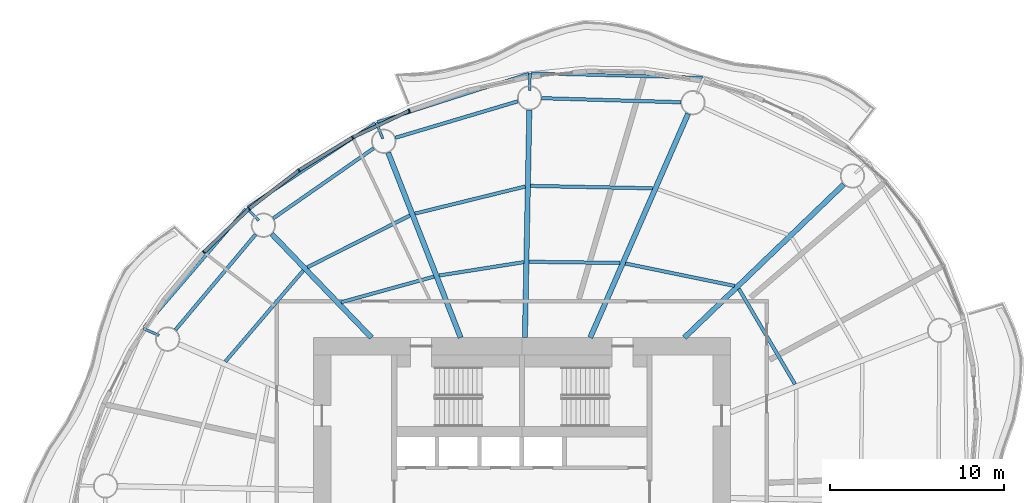
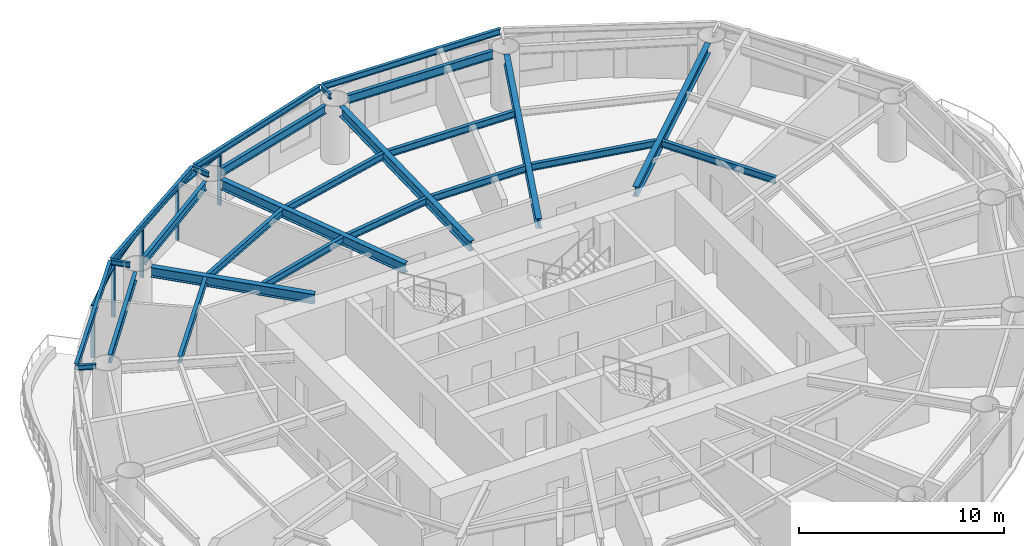
# One storey, part 5 of 14: 26 beams, 9 members, 4 elements without a shape of their own.
"""IFC4 building model written with IfcOpenShell, lengths in metres."""

from ifc_helpers import new_model, si_unit, direction, frame, origin, origin_2d, place, context, subcontext, project, spatial, rectangle, i_section, extrude, material, material_profile, profile_set, type_object, element, aggregate, save


model = new_model("IFC4")

# Units and contexts
model_context = context("Model", 3, precision=1e-05, world=origin(), true_north=direction((0.0, 1.0)))
body_context = subcontext(model_context, "Body", "Model", "MODEL_VIEW")
ifc_project = project(units=[si_unit("LENGTHUNIT", "METRE"), si_unit("AREAUNIT", "SQUARE_METRE"), si_unit("VOLUMEUNIT", "CUBIC_METRE"), si_unit("PLANEANGLEUNIT", "RADIAN"), si_unit("MASSUNIT", "GRAM", prefix="KILO")], contexts=[model_context])

# Site, building, storey
site_placement = place(None, origin())
site = spatial("IfcSite", under=ifc_project, at=site_placement, CompositionType="ELEMENT")
building_placement = place(site_placement, origin())
building = spatial("IfcBuilding", under=site, at=building_placement, Name="Vermilion Reach Broadcast Tower", CompositionType="ELEMENT")
storey_placement = place(building_placement, frame((0.0, 0.0, 172.199951171875)))
storey = spatial("IfcBuildingStorey", under=building, at=storey_placement, Name="L41", CompositionType="ELEMENT", Elevation=172.199951171875)

# Beams
ifc_material_1 = material(Name="Steel S355J2", Category="steel")
ifc_material_profile_1 = material_profile(ifc_material_1, i_section(OverallWidth=0.175048828125, OverallDepth=0.35009765625, WebThickness=0.007080078125, FlangeThickness=0.010986328125, at=origin_2d()), Name="S355J2 HN 350x175x7x11")
ifc_profile_set_1 = profile_set([ifc_material_profile_1], Name="Steel S355J2")
beam_type_1 = type_object("IfcBeamType", Name="EB3 HN 350x175x7x11", PredefinedType="BEAM", material=ifc_profile_set_1)
beam_1_placement = place(storey_placement, frame((4.390380859375, 23.958251953125, 3.275146484375), z_axis=(-0.999675295563, 0.025481433271, 0.0), x_axis=(-0.025481433271, -0.999675295563, 0.0)))
element("IfcBeam", 1, at=beam_1_placement, inside=storey, type_object=beam_type_1, Name="Edge beam EB3-02", PredefinedType="BEAM", context=body_context, shape_type="SweptSolid", body=[
    extrude(i_section(OverallWidth=0.175048828125, OverallDepth=0.35009765625, WebThickness=0.007080078125, FlangeThickness=0.010986328125, at=origin_2d()), origin(), (0.0, 0.0, 1.0), 9.849365234375),
])
beam_2_placement = place(storey_placement, frame((-5.6064453125, 24.18701171875, 3.275146484375), z_axis=(-0.952251696083, -0.305314112525, 0.0), x_axis=(0.305314112525, -0.952251696083, 0.0)))
element("IfcBeam", 2, at=beam_2_placement, inside=storey, type_object=beam_type_1, Name="Edge beam EB3-03", PredefinedType="BEAM", context=body_context, shape_type="SweptSolid", body=[
    extrude(i_section(OverallWidth=0.175048828125, OverallDepth=0.35009765625, WebThickness=0.007080078125, FlangeThickness=0.010986328125, at=origin_2d()), origin(), (0.0, 0.0, 1.0), 9.131103515625),
])
beam_3_placement = place(storey_placement, frame((-14.43701171875, 21.334228515625, 3.275146484375), z_axis=(-0.835294472023, -0.549802823754, 0.0), x_axis=(0.549802823754, -0.835294472023, 0.0)))
element("IfcBeam", 3, at=beam_3_placement, inside=storey, type_object=beam_type_1, Name="Edge beam EB3-04", PredefinedType="BEAM", context=body_context, shape_type="SweptSolid", body=[
    extrude(i_section(OverallWidth=0.175048828125, OverallDepth=0.35009765625, WebThickness=0.007080078125, FlangeThickness=0.010986328125, at=origin_2d()), origin(), (0.0, 0.0, 1.0), 8.783447265625),
])
beam_4_placement = place(storey_placement, frame((-21.886474609375, 16.406005859375, 3.275146484375), z_axis=(-0.651522392259, -0.75862940385, 0.0), x_axis=(0.75862940385, -0.651522392259, 0.0)))
element("IfcBeam", 4, at=beam_4_placement, inside=storey, type_object=beam_type_1, Name="Edge beam EB3-05", PredefinedType="BEAM", context=body_context, shape_type="SweptSolid", body=[
    extrude(i_section(OverallWidth=0.175048828125, OverallDepth=0.35009765625, WebThickness=0.007080078125, FlangeThickness=0.010986328125, at=origin_2d()), origin(), (0.0, 0.0, 1.0), 8.989990234375),
])
ifc_material_2 = material(Name="Steel S355J2", Category="steel")
ifc_material_profile_2 = material_profile(ifc_material_2, i_section(OverallWidth=0.300048828125, OverallDepth=0.587890625, WebThickness=0.011962890625, FlangeThickness=0.02001953125, at=origin_2d()), Name="S355J2 HM 588x300x12x20")
ifc_profile_set_2 = profile_set([ifc_material_profile_2], Name="Steel S355J2")
beam_type_2 = type_object("IfcBeamType", Name="G3 HM 588x300x12x20", PredefinedType="BEAM", material=ifc_profile_set_2)
beam_5_placement = place(storey_placement, frame((3.355712890625, 9.0, 3.156005859375), z_axis=(0.720670374476, 0.693277874559, 0.0), x_axis=(-0.693277874559, 0.720670374476, 0.0)))
element("IfcBeam", 5, at=beam_5_placement, inside=storey, type_object=beam_type_2, Name="Girder G3-01", PredefinedType="BEAM", context=body_context, shape_type="SweptSolid", body=[
    extrude(i_section(OverallWidth=0.300048828125, OverallDepth=0.587890625, WebThickness=0.011962890625, FlangeThickness=0.02001953125, at=origin_2d()), origin(), (0.0, 0.0, 1.0), 12.718505859375),
])
beam_6_placement = place(storey_placement, frame((-2.066162109375, 9.0, 3.156005859375), z_axis=(0.400519113205, 0.916288404356, 0.0), x_axis=(-0.916288404356, 0.400519113205, 0.0)))
element("IfcBeam", 6, at=beam_6_placement, inside=storey, type_object=beam_type_2, Name="Girder G3-02", PredefinedType="BEAM", context=body_context, shape_type="SweptSolid", body=[
    extrude(i_section(OverallWidth=0.300048828125, OverallDepth=0.587890625, WebThickness=0.011962890625, FlangeThickness=0.02001953125, at=origin_2d()), origin(), (0.0, 0.0, 1.0), 14.0595703125),
])
beam_7_placement = place(storey_placement, frame((-5.82568359375, 9.0, 3.156005859375), z_axis=(0.019378372481, 0.99981222171, 0.0), x_axis=(-0.99981222171, 0.019378372481, 0.0)))
element("IfcBeam", 7, at=beam_7_placement, inside=storey, type_object=beam_type_2, Name="Girder G3-03", PredefinedType="BEAM", context=body_context, shape_type="SweptSolid", body=[
    extrude(i_section(OverallWidth=0.300048828125, OverallDepth=0.587890625, WebThickness=0.011962890625, FlangeThickness=0.02001953125, at=origin_2d()), origin(), (0.0, 0.0, 1.0), 13.1025390625),
])
beam_8_placement = place(storey_placement, frame((-9.525146484375, 9.0, 3.156005859375), z_axis=(-0.364715649973, 0.931118947646, 0.0), x_axis=(-0.931118947646, -0.364715649973, 0.0)))
element("IfcBeam", 8, at=beam_8_placement, inside=storey, type_object=beam_type_2, Name="Girder G3-04", PredefinedType="BEAM", context=body_context, shape_type="SweptSolid", body=[
    extrude(i_section(OverallWidth=0.300048828125, OverallDepth=0.587890625, WebThickness=0.011962890625, FlangeThickness=0.02001953125, at=origin_2d()), origin(), (0.0, 0.0, 1.0), 11.436767578125),
])
beam_9_placement = place(storey_placement, frame((-14.657958984375, 9.0, 3.156005859375), z_axis=(-0.693282657492, 0.72066577331, 0.0), x_axis=(-0.72066577331, -0.693282657492, 0.0)))
element("IfcBeam", 9, at=beam_9_placement, inside=storey, type_object=beam_type_2, Name="Girder G3-05", PredefinedType="BEAM", context=body_context, shape_type="SweptSolid", body=[
    extrude(i_section(OverallWidth=0.300048828125, OverallDepth=0.587890625, WebThickness=0.011962890625, FlangeThickness=0.02001953125, at=origin_2d()), origin(), (0.0, 0.0, 1.0), 8.273681640625),
])
ifc_material_3 = material(Name="Steel S355J2", Category="steel")
ifc_material_profile_3 = material_profile(ifc_material_3, i_section(OverallWidth=0.14990234375, OverallDepth=0.300048828125, WebThickness=0.006591796875, FlangeThickness=0.009033203125, at=origin_2d()), Name="S355J2 HN 300x150x6.5x9")
ifc_profile_set_3 = profile_set([ifc_material_profile_3], Name="Steel S355J2")
beam_type_3 = type_object("IfcBeamType", Name="GS3 HN 300x150x6.5x9", PredefinedType="BEAM", material=ifc_profile_set_3)
beam_10_placement = place(storey_placement, frame((-5.55029296875, 23.21142578125, 3.300048828125), z_axis=(0.019288230334, 0.999813964781, 0.0), x_axis=(-0.999813964781, 0.019288230334, 0.0)))
element("IfcBeam", 10, at=beam_10_placement, inside=storey, type_object=beam_type_3, Name="Cantilever stub GS3-03", PredefinedType="BEAM", context=body_context, shape_type="SweptSolid", body=[
    extrude(i_section(OverallWidth=0.14990234375, OverallDepth=0.300048828125, WebThickness=0.006591796875, FlangeThickness=0.009033203125, at=origin_2d()), origin(), (0.0, 0.0, 1.0), 1.0),
])
beam_11_placement = place(storey_placement, frame((-14.00830078125, 20.4453125, 3.300048828125), z_axis=(-0.364813627815, 0.931080564162, 0.0), x_axis=(-0.931080564162, -0.364813627815, 0.0)))
element("IfcBeam", 11, at=beam_11_placement, inside=storey, type_object=beam_type_3, Name="Cantilever stub GS3-04", PredefinedType="BEAM", context=body_context, shape_type="SweptSolid", body=[
    extrude(i_section(OverallWidth=0.14990234375, OverallDepth=0.300048828125, WebThickness=0.006591796875, FlangeThickness=0.009033203125, at=origin_2d()), origin(), (0.0, 0.0, 1.0), 0.999755859375),
])
for number, where, z_axis, x_axis, name in (
    (12, (-21.14404296875, 15.742431640625, 3.300048828125), (-0.693303837595, 0.720645397388, 0.0), (-0.720645397388, -0.693303837595, 0.0), "Cantilever stub GS3-05"),
    (13, (-26.87841796875, 9.1259765625, 3.300048828125), (-0.916330962408, 0.400421736837, 0.0), (-0.400421736837, -0.916330962408, 0.0), "Cantilever stub GS3-06"),
):
    element("IfcBeam", number, at=place(storey_placement, frame(where, z_axis=z_axis, x_axis=x_axis)), inside=storey, type_object=beam_type_3, Name=name, PredefinedType="BEAM", context=body_context, shape_type="SweptSolid", body=[
        extrude(i_section(OverallWidth=0.14990234375, OverallDepth=0.300048828125, WebThickness=0.006591796875, FlangeThickness=0.009033203125, at=origin_2d()), origin(), (0.0, 0.0, 1.0), 1.0),
    ])
ifc_material_4 = material(Name="Steel S355J2", Category="steel")
ifc_material_profile_4 = material_profile(ifc_material_4, i_section(OverallWidth=0.199951171875, OverallDepth=0.5, WebThickness=0.010009765625, FlangeThickness=0.01611328125, at=origin_2d()), Name="S355J2 HN 500x200x10x16")
ifc_profile_set_4 = profile_set([ifc_material_profile_4], Name="Steel S355J2")
beam_type_4 = type_object("IfcBeamType", Name="RB3 HN 500x200x10x16", PredefinedType="BEAM", material=ifc_profile_set_4)
beam_12_placement = place(storey_placement, frame((3.1455078125, 22.544677734375, 3.199951171875), z_axis=(-0.999569781146, 0.029330063427, 0.0), x_axis=(-0.029330063427, -0.999569781146, 0.0)))
element("IfcBeam", 14, at=beam_12_placement, inside=storey, type_object=beam_type_4, Name="Ring beam RB3-02", PredefinedType="BEAM", context=body_context, shape_type="SweptSolid", body=[
    extrude(i_section(OverallWidth=0.199951171875, OverallDepth=0.5, WebThickness=0.010009765625, FlangeThickness=0.01611328125, at=origin_2d()), origin(), (0.0, 0.0, 1.0), 8.007568359375),
])
beam_13_placement = place(storey_placement, frame((-6.229248046875, 22.60009765625, 3.199951171875), z_axis=(-0.958416970322, -0.285371531516, 0.0), x_axis=(0.285371531516, -0.958416970322, 0.0)))
element("IfcBeam", 15, at=beam_13_placement, inside=storey, type_object=beam_type_4, Name="Ring beam RB3-03", PredefinedType="BEAM", context=body_context, shape_type="SweptSolid", body=[
    extrude(i_section(OverallWidth=0.199951171875, OverallDepth=0.5, WebThickness=0.010009765625, FlangeThickness=0.01611328125, at=origin_2d()), origin(), (0.0, 0.0, 1.0), 7.357421875),
])
beam_14_placement = place(storey_placement, frame((-14.525634765625, 19.900146484375, 3.199951171875), z_axis=(-0.820111453349, -0.572203813415, 0.0), x_axis=(0.572203813415, -0.820111453349, 0.0)))
element("IfcBeam", 16, at=beam_14_placement, inside=storey, type_object=beam_type_4, Name="Ring beam RB3-04", PredefinedType="BEAM", context=body_context, shape_type="SweptSolid", body=[
    extrude(i_section(OverallWidth=0.199951171875, OverallDepth=0.5, WebThickness=0.010009765625, FlangeThickness=0.01611328125, at=origin_2d()), origin(), (0.0, 0.0, 1.0), 7.04736328125),
])
beam_15_placement = place(storey_placement, frame((-21.32958984375, 14.931396484375, 3.199951171875), z_axis=(-0.643350337931, -0.765571905626, 0.0), x_axis=(0.765571905626, -0.643350337931, 0.0)))
element("IfcBeam", 17, at=beam_15_placement, inside=storey, type_object=beam_type_4, Name="Ring beam RB3-05", PredefinedType="BEAM", context=body_context, shape_type="SweptSolid", body=[
    extrude(i_section(OverallWidth=0.199951171875, OverallDepth=0.5, WebThickness=0.010009765625, FlangeThickness=0.01611328125, at=origin_2d()), origin(), (0.0, 0.0, 1.0), 7.1630859375),
])
ifc_material_5 = material(Name="Steel S355J2", Category="steel")
ifc_material_profile_5 = material_profile(ifc_material_5, i_section(OverallWidth=0.199951171875, OverallDepth=0.39990234375, WebThickness=0.008056640625, FlangeThickness=0.012939453125, at=origin_2d()), Name="S355J2 HN 400x200x8x13")
ifc_profile_set_5 = profile_set([ifc_material_profile_5], Name="Steel S355J2")
beam_type_5 = type_object("IfcBeamType", Name="SB3 HN 400x200x8x13", PredefinedType="BEAM", material=ifc_profile_set_5)
beam_16_placement = place(storey_placement, frame((6.232666015625, 11.975830078125, 3.25), z_axis=(-0.97956765607, 0.201114910391, 0.0), x_axis=(-0.201114910391, -0.97956765607, 0.0)))
element("IfcBeam", 18, at=beam_16_placement, inside=storey, type_object=beam_type_5, Name="Secondary beam SB3-01-1", PredefinedType="BEAM", context=body_context, shape_type="SweptSolid", body=[
    extrude(i_section(OverallWidth=0.199951171875, OverallDepth=0.39990234375, WebThickness=0.008056640625, FlangeThickness=0.012939453125, at=origin_2d()), origin(), (0.0, 0.0, 1.0), 6.40234375),
])
beam_17_placement = place(storey_placement, frame((-0.351806640625, 13.29638671875, 3.25), z_axis=(-0.999914891843, 0.013046419838, 0.0), x_axis=(-0.013046419838, -0.999914891843, 0.0)))
element("IfcBeam", 19, at=beam_17_placement, inside=storey, type_object=beam_type_5, Name="Secondary beam SB3-02-1", PredefinedType="BEAM", context=body_context, shape_type="SweptSolid", body=[
    extrude(i_section(OverallWidth=0.199951171875, OverallDepth=0.39990234375, WebThickness=0.008056640625, FlangeThickness=0.012939453125, at=origin_2d()), origin(), (0.0, 0.0, 1.0), 5.23974609375),
])
beam_18_placement = place(storey_placement, frame((1.525634765625, 17.591552734375, 3.25), z_axis=(-0.999804929321, 0.019751033045, 0.0), x_axis=(-0.019751033045, -0.999804929321, 0.0)))
element("IfcBeam", 20, at=beam_18_placement, inside=storey, type_object=beam_type_5, Name="Secondary beam SB3-02-2", PredefinedType="BEAM", context=body_context, shape_type="SweptSolid", body=[
    extrude(i_section(OverallWidth=0.199951171875, OverallDepth=0.39990234375, WebThickness=0.008056640625, FlangeThickness=0.012939453125, at=origin_2d()), origin(), (0.0, 0.0, 1.0), 7.033447265625),
])
beam_19_placement = place(storey_placement, frame((-5.8916015625, 13.343017578125, 3.25), z_axis=(-0.987756142208, -0.15600578044, 0.0), x_axis=(0.15600578044, -0.987756142208, 0.0)))
element("IfcBeam", 21, at=beam_19_placement, inside=storey, type_object=beam_type_5, Name="Secondary beam SB3-03-1", PredefinedType="BEAM", context=body_context, shape_type="SweptSolid", body=[
    extrude(i_section(OverallWidth=0.199951171875, OverallDepth=0.39990234375, WebThickness=0.008056640625, FlangeThickness=0.012939453125, at=origin_2d()), origin(), (0.0, 0.0, 1.0), 4.9326171875),
])
beam_20_placement = place(storey_placement, frame((-5.80712890625, 17.6962890625, 3.25), z_axis=(-0.971111691931, -0.238625400566, 0.0), x_axis=(0.238625400566, -0.971111691931, 0.0)))
element("IfcBeam", 22, at=beam_20_placement, inside=storey, type_object=beam_type_5, Name="Secondary beam SB3-03-2", PredefinedType="BEAM", context=body_context, shape_type="SweptSolid", body=[
    extrude(i_section(OverallWidth=0.199951171875, OverallDepth=0.39990234375, WebThickness=0.008056640625, FlangeThickness=0.012939453125, at=origin_2d()), origin(), (0.0, 0.0, 1.0), 6.540771484375),
])
beam_21_placement = place(storey_placement, frame((-11.06103515625, 12.509521484375, 3.25), z_axis=(-0.963889790258, -0.266301468708, 0.0), x_axis=(0.266301468708, -0.963889790258, 0.0)))
element("IfcBeam", 23, at=beam_21_placement, inside=storey, type_object=beam_type_5, Name="Secondary beam SB3-04-1", PredefinedType="BEAM", context=body_context, shape_type="SweptSolid", body=[
    extrude(i_section(OverallWidth=0.199951171875, OverallDepth=0.39990234375, WebThickness=0.008056640625, FlangeThickness=0.012939453125, at=origin_2d()), origin(), (0.0, 0.0, 1.0), 5.544677734375),
])
beam_22_placement = place(storey_placement, frame((-12.4404296875, 16.03125, 3.25), z_axis=(-0.892320561657, -0.451402276516, 0.0), x_axis=(0.451402276516, -0.892320561657, 0.0)))
element("IfcBeam", 24, at=beam_22_placement, inside=storey, type_object=beam_type_5, Name="Secondary beam SB3-04-2", PredefinedType="BEAM", context=body_context, shape_type="SweptSolid", body=[
    extrude(i_section(OverallWidth=0.199951171875, OverallDepth=0.39990234375, WebThickness=0.008056640625, FlangeThickness=0.012939453125, at=origin_2d()), origin(), (0.0, 0.0, 1.0), 6.613525390625),
])
beam_23_placement = place(storey_placement, frame((-18.579833984375, 12.860595703125, 3.25), z_axis=(-0.650167134505, -0.759791219487, 0.0), x_axis=(0.759791219487, -0.650167134505, 0.0)))
element("IfcBeam", 25, at=beam_23_placement, inside=storey, type_object=beam_type_5, Name="Secondary beam SB3-05-2", PredefinedType="BEAM", context=body_context, shape_type="SweptSolid", body=[
    extrude(i_section(OverallWidth=0.199951171875, OverallDepth=0.39990234375, WebThickness=0.008056640625, FlangeThickness=0.012939453125, at=origin_2d()), origin(), (0.0, 0.0, 1.0), 6.89501953125),
])
beam_24_placement = place(storey_placement, frame((9.71923828125, 6.318115234375, 3.25), z_axis=(-0.507249643612, 0.861799163991, 0.0), x_axis=(-0.861799163991, -0.507249643612, 0.0)))
element("IfcBeam", 26, at=beam_24_placement, inside=storey, type_object=beam_type_5, Name="Secondary beam SB3-16-1", PredefinedType="BEAM", context=body_context, shape_type="SweptSolid", body=[
    extrude(i_section(OverallWidth=0.199951171875, OverallDepth=0.39990234375, WebThickness=0.008056640625, FlangeThickness=0.012939453125, at=origin_2d()), origin(), (0.0, 0.0, 1.0), 6.3681640625),
])

# Curtain wall, member
ifc_material_6 = material(Name="Low-e laminated clear glass in aluminium frame", Category="aluminium")
curtain_wall_type = type_object("IfcCurtainWallType", Name="Slot curtain wall", PredefinedType="NOTDEFINED", material=ifc_material_6)
placement = place(storey_placement, origin())
curtain_wall_1 = element("IfcCurtainWall", 27, at=placement, inside=storey, type_object=curtain_wall_type, Name="Slot curtain wall L41 10", PredefinedType="NOTDEFINED")
ifc_material_7 = material(Name="Anodised aluminium", Category="aluminium")
ifc_material_profile_6 = material_profile(ifc_material_7, rectangle(XDim=0.199951171875, YDim=0.080078125, at=origin_2d()), Name="Slot mullion 80 x 200")
ifc_profile_set_6 = profile_set([ifc_material_profile_6], Name="Anodised aluminium")
member_type_1 = type_object("IfcMemberType", Name="Slot mullion 80 x 200", PredefinedType="MULLION", material=ifc_profile_set_6)
member_1_placement = place(storey_placement, frame((-12.4833984375, 22.0595703125, 0.0), z_axis=(0.0, 0.0, 1.0), x_axis=(0.3771781936, -0.926140707599, 0.0)))
member_1 = element("IfcMember", 28, at=member_1_placement, type_object=member_type_1, Name="Slot mullion L41 10", PredefinedType="MULLION", context=body_context, shape_type="SweptSolid", body=[
    extrude(rectangle(XDim=0.199951171875, YDim=0.080078125, at=origin_2d()), origin(), (0.0, 0.0, 1.0), 3.10009765625),
])

curtain_wall_2 = element("IfcCurtainWall", 29, at=placement, inside=storey, type_object=curtain_wall_type, Name="Slot curtain wall L41 11", PredefinedType="NOTDEFINED")
member_2_placement = place(storey_placement, frame((-15.74072265625, 20.519775390625, 0.0), z_axis=(0.0, 0.0, 1.0), x_axis=(0.475533038196, -0.879697862669, 0.0)))
member_2 = element("IfcMember", 30, at=member_2_placement, type_object=member_type_1, Name="Slot mullion L41 11", PredefinedType="MULLION", context=body_context, shape_type="SweptSolid", body=[
    extrude(rectangle(XDim=0.199951171875, YDim=0.080078125, at=origin_2d()), origin(), (0.0, 0.0, 1.0), 3.10009765625),
])

curtain_wall_3 = element("IfcCurtainWall", 31, at=placement, inside=storey, type_object=curtain_wall_type, Name="Slot curtain wall L41 12", PredefinedType="NOTDEFINED")
member_3_placement = place(storey_placement, frame((-18.830810546875, 18.627197265625, 0.0), z_axis=(0.0, 0.0, 1.0), x_axis=(0.567268977241, -0.823532578263, 0.0)))
member_3 = element("IfcMember", 32, at=member_3_placement, type_object=member_type_1, Name="Slot mullion L41 12", PredefinedType="MULLION", context=body_context, shape_type="SweptSolid", body=[
    extrude(rectangle(XDim=0.199951171875, YDim=0.080078125, at=origin_2d()), origin(), (0.0, 0.0, 1.0), 3.10009765625),
])

# Curtain wall, members
curtain_wall_4 = element("IfcCurtainWall", 33, at=placement, inside=storey, type_object=curtain_wall_type, Name="Slot curtain wall L41 13", PredefinedType="NOTDEFINED")
member_4_placement = place(storey_placement, frame((-21.700439453125, 16.41455078125, 0.0), z_axis=(0.0, 0.0, 1.0), x_axis=(0.652441502823, -0.757839089381, 0.0)))
member_4 = element("IfcMember", 34, at=member_4_placement, type_object=member_type_1, Name="Slot mullion L41 13", PredefinedType="MULLION", context=body_context, shape_type="SweptSolid", body=[
    extrude(rectangle(XDim=0.199951171875, YDim=0.080078125, at=origin_2d()), origin(), (0.0, 0.0, 1.0), 3.10009765625),
])
member_5_placement = place(storey_placement, frame((-24.30029296875, 13.919921875, 0.0), z_axis=(0.0, 0.0, 1.0), x_axis=(0.730889219069, -0.682496116802, 0.0)))
member_5 = element("IfcMember", 35, at=member_5_placement, type_object=member_type_1, Name="Slot mullion L41 14", PredefinedType="MULLION", context=body_context, shape_type="SweptSolid", body=[
    extrude(rectangle(XDim=0.199951171875, YDim=0.080078125, at=origin_2d()), origin(), (0.0, 0.0, 1.0), 3.10009765625),
])

# Member
ifc_material_8 = material(Name="Anodised aluminium", Category="aluminium")
ifc_material_profile_7 = material_profile(ifc_material_8, rectangle(XDim=0.199951171875, YDim=0.10009765625, at=origin_2d()), Name="Slot transom 200 x 100")
ifc_profile_set_7 = profile_set([ifc_material_profile_7], Name="Anodised aluminium")
member_type_2 = type_object("IfcMemberType", Name="Slot transom 200 x 100", PredefinedType="USERDEFINED", material=ifc_profile_set_7)
member_6_placement = place(storey_placement, frame((-12.51953125, 22.04248046875, 3.050048828125), z_axis=(-0.904077621629, -0.427368288563, 0.0), x_axis=(0.427368288563, -0.904077621629, 0.0)))
member_6 = element("IfcMember", 36, at=member_6_placement, type_object=member_type_2, Name="Slot transom L41 10.1", ObjectType="TRANSOM", PredefinedType="USERDEFINED", context=body_context, shape_type="SweptSolid", body=[
    extrude(rectangle(XDim=0.199951171875, YDim=0.10009765625, at=origin_2d()), origin(), (0.0, 0.0, 1.0), 3.52294921875),
])

aggregate(curtain_wall_1, [member_1, member_6])

member_7_placement = place(storey_placement, frame((-15.77490234375, 20.498779296875, 3.050048828125), z_axis=(-0.852782416953, -0.522266358609, 0.0), x_axis=(0.522266358609, -0.852782416953, 0.0)))
member_7 = element("IfcMember", 37, at=member_7_placement, type_object=member_type_2, Name="Slot transom L41 11.1", ObjectType="TRANSOM", PredefinedType="USERDEFINED", context=body_context, shape_type="SweptSolid", body=[
    extrude(rectangle(XDim=0.199951171875, YDim=0.10009765625, at=origin_2d()), origin(), (0.0, 0.0, 1.0), 3.54345703125),
])

aggregate(curtain_wall_2, [member_2, member_7])

member_8_placement = place(storey_placement, frame((-18.862548828125, 18.602783203125, 3.050048828125), z_axis=(-0.791934544832, -0.610605991374, 0.0), x_axis=(0.610605991374, -0.791934544832, 0.0)))
member_8 = element("IfcMember", 38, at=member_8_placement, type_object=member_type_2, Name="Slot transom L41 12.1", ObjectType="TRANSOM", PredefinedType="USERDEFINED", context=body_context, shape_type="SweptSolid", body=[
    extrude(rectangle(XDim=0.199951171875, YDim=0.10009765625, at=origin_2d()), origin(), (0.0, 0.0, 1.0), 3.543701171875),
])

aggregate(curtain_wall_3, [member_3, member_8])

member_9_placement = place(storey_placement, frame((-21.7294921875, 16.38671875, 3.050048828125), z_axis=(-0.721545188484, -0.6923673454, 0.0), x_axis=(0.6923673454, -0.721545188484, 0.0)))
member_9 = element("IfcMember", 39, at=member_9_placement, type_object=member_type_2, Name="Slot transom L41 13.1", ObjectType="TRANSOM", PredefinedType="USERDEFINED", context=body_context, shape_type="SweptSolid", body=[
    extrude(rectangle(XDim=0.199951171875, YDim=0.10009765625, at=origin_2d()), origin(), (0.0, 0.0, 1.0), 3.522705078125),
])

aggregate(curtain_wall_4, [member_4, member_5, member_9])

save(model, "model.ifc")
